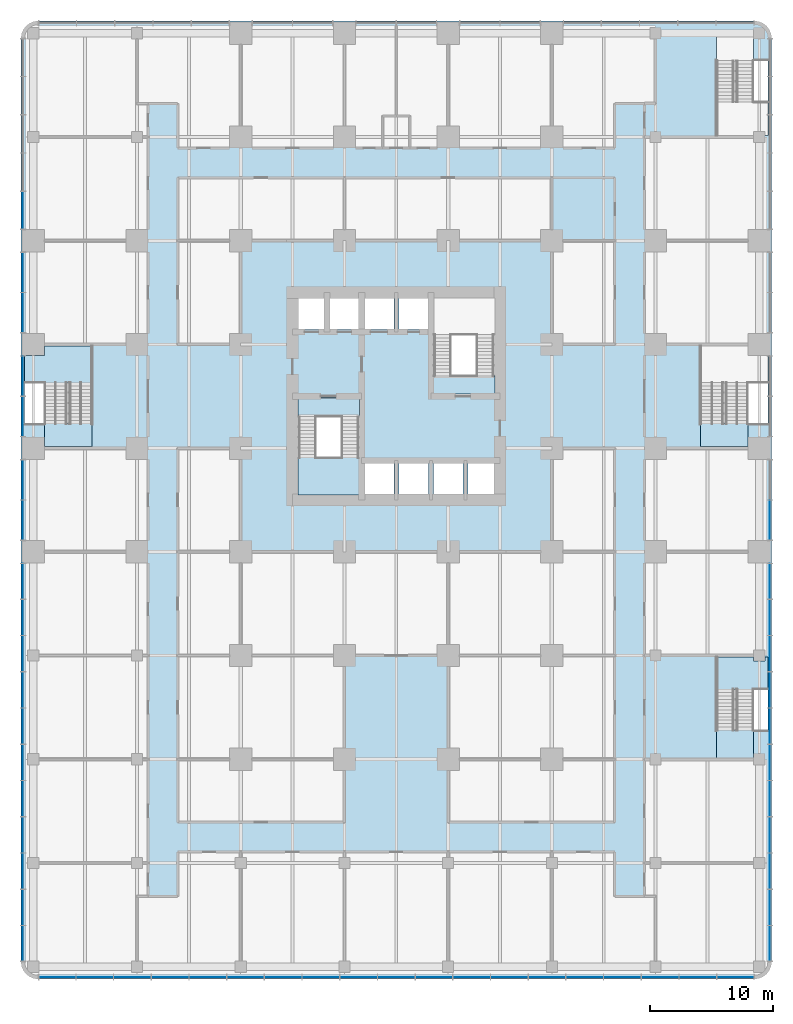
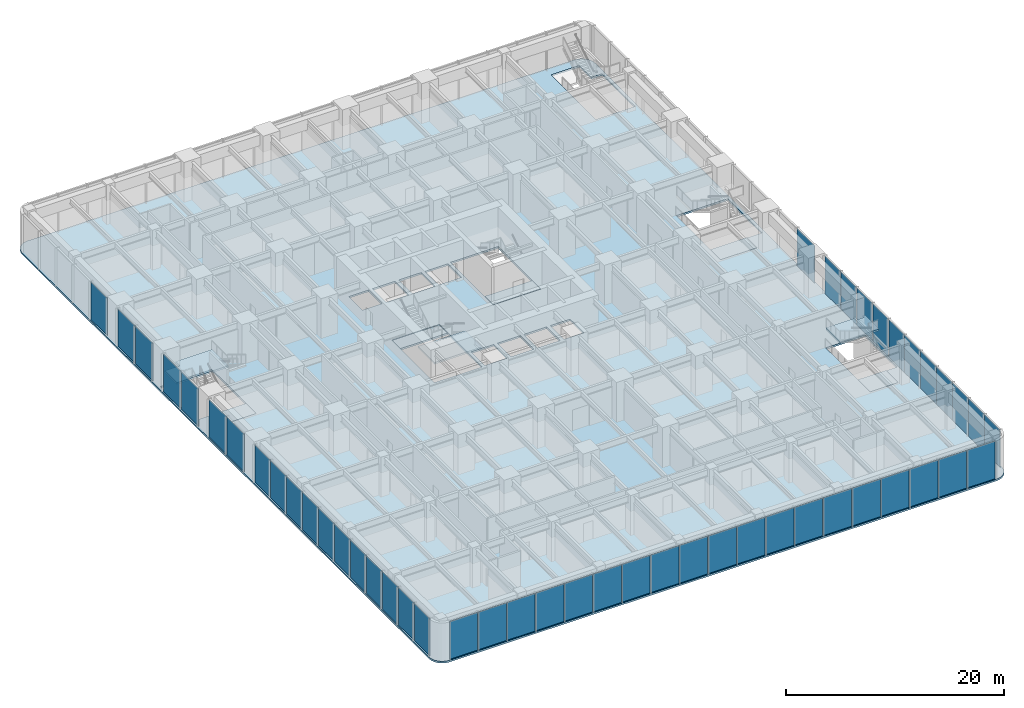
# One storey, part 9 of 19: 49 plates, 9 slabs, 8 elements without a shape of their own.
"""IFC4 building model written with IfcOpenShell, lengths in metres."""

from ifc_helpers import new_model, si_unit, direction, frame, origin, origin_2d, place, context, subcontext, project, spatial, polyline, rectangle, outline, extrude, material, layer, layer_set, type_object, element, aggregate, save


model = new_model("IFC4")

# Units and contexts
model_context = context("Model", 3, precision=1e-05, world=origin(), true_north=direction((0.0, 1.0)))
body_context = subcontext(model_context, "Body", "Model", "MODEL_VIEW")
ifc_project = project(units=[si_unit("LENGTHUNIT", "METRE"), si_unit("AREAUNIT", "SQUARE_METRE"), si_unit("VOLUMEUNIT", "CUBIC_METRE"), si_unit("PLANEANGLEUNIT", "RADIAN"), si_unit("MASSUNIT", "GRAM", prefix="KILO")], contexts=[model_context])

# Site, building, storey
site_placement = place(None, origin())
site = spatial("IfcSite", under=ifc_project, at=site_placement, CompositionType="ELEMENT")
building_placement = place(site_placement, origin())
building = spatial("IfcBuilding", under=site, at=building_placement, Name="Torre Alcanfor", CompositionType="ELEMENT")
storey_placement = place(building_placement, frame((0.0, 0.0, 6.0)))
storey = spatial("IfcBuildingStorey", under=building, at=storey_placement, Name="L01", CompositionType="ELEMENT", Elevation=6.0)

# Curtain wall, plates
ifc_material_1 = material(Name="Aluminium and glass", Category="aluminium")
curtain_wall_type = type_object("IfcCurtainWallType", Name="CW-B unitised classroom glazing with vertical FIN", PredefinedType="NOTDEFINED", material=ifc_material_1)
curtain_wall_1_placement = place(storey_placement, origin())
curtain_wall_1 = element("IfcCurtainWall", 1, at=curtain_wall_1_placement, inside=storey, type_object=curtain_wall_type, Name="Curtain wall CW-B L01 1", PredefinedType="NOTDEFINED")
ifc_material_2 = material(Name="Glass", Category="glass")
ifc_layer_1 = layer(ifc_material_2, 0.028076171875)
ifc_layer_set_1 = layer_set([ifc_layer_1], Name="CW-B clear double glazed unit")
plate_type = type_object("IfcPlateType", Name="CW-B clear double glazed unit", PredefinedType="CURTAIN_PANEL", material=ifc_layer_set_1)
plate_1_placement = place(storey_placement, frame((59.64990234375, -14.915771484375, 0.0), z_axis=(0.0, 0.0, 1.0), x_axis=(0.0, 1.0, 0.0)))
plate_1 = element("IfcPlate", 2, at=plate_1_placement, type_object=plate_type, Name="CW-B panel 1.1.1", PredefinedType="CURTAIN_PANEL", context=body_context, shape_type="SweptSolid", body=[
    extrude(rectangle(XDim=2.83837890625, YDim=0.028076171875, at=origin_2d()), origin(), (0.0, 0.0, 1.0), 4.235107421875),
])
plate_2_placement = place(storey_placement, frame((59.64990234375, -11.99609375, 0.0), z_axis=(0.0, 0.0, 1.0), x_axis=(0.0, 1.0, 0.0)))
plate_2 = element("IfcPlate", 3, at=plate_2_placement, type_object=plate_type, Name="CW-B panel 1.2.1", PredefinedType="CURTAIN_PANEL", context=body_context, shape_type="SweptSolid", body=[
    extrude(rectangle(XDim=2.870849609375, YDim=0.028076171875, at=origin_2d()), origin(), (0.0, 0.0, 1.0), 4.235107421875),
])
plate_3_placement = place(storey_placement, frame((59.64990234375, -9.060302734375, 0.0), z_axis=(0.0, 0.0, 1.0), x_axis=(0.0, 1.0, 0.0)))
plate_3 = element("IfcPlate", 4, at=plate_3_placement, type_object=plate_type, Name="CW-B panel 1.3.1", PredefinedType="CURTAIN_PANEL", context=body_context, shape_type="SweptSolid", body=[
    extrude(rectangle(XDim=2.870849609375, YDim=0.028076171875, at=origin_2d()), origin(), (0.0, 0.0, 1.0), 4.235107421875),
])
plate_4_placement = place(storey_placement, frame((59.64990234375, -6.124267578125, 0.0), z_axis=(0.0, 0.0, 1.0), x_axis=(0.0, 1.0, 0.0)))
plate_4 = element("IfcPlate", 5, at=plate_4_placement, type_object=plate_type, Name="CW-B panel 1.4.1", PredefinedType="CURTAIN_PANEL", context=body_context, shape_type="SweptSolid", body=[
    extrude(rectangle(XDim=2.870849609375, YDim=0.028076171875, at=origin_2d()), origin(), (0.0, 0.0, 1.0), 4.235107421875),
])
plate_5_placement = place(storey_placement, frame((59.64990234375, -3.1884765625, 0.0), z_axis=(0.0, 0.0, 1.0), x_axis=(0.0, 1.0, 0.0)))
plate_5 = element("IfcPlate", 6, at=plate_5_placement, type_object=plate_type, Name="CW-B panel 1.5.1", PredefinedType="CURTAIN_PANEL", context=body_context, shape_type="SweptSolid", body=[
    extrude(rectangle(XDim=2.870849609375, YDim=0.028076171875, at=origin_2d()), origin(), (0.0, 0.0, 1.0), 4.235107421875),
])
plate_6_placement = place(storey_placement, frame((59.64990234375, -0.25244140625, 0.0), z_axis=(0.0, 0.0, 1.0), x_axis=(0.0, 1.0, 0.0)))
plate_6 = element("IfcPlate", 7, at=plate_6_placement, type_object=plate_type, Name="CW-B panel 1.6.1", PredefinedType="CURTAIN_PANEL", context=body_context, shape_type="SweptSolid", body=[
    extrude(rectangle(XDim=2.870849609375, YDim=0.028076171875, at=origin_2d()), origin(), (0.0, 0.0, 1.0), 4.235107421875),
])
plate_7_placement = place(storey_placement, frame((59.64990234375, 2.683349609375, 0.0), z_axis=(0.0, 0.0, 1.0), x_axis=(0.0, 1.0, 0.0)))
plate_7 = element("IfcPlate", 8, at=plate_7_placement, type_object=plate_type, Name="CW-B panel 1.7.1", PredefinedType="CURTAIN_PANEL", context=body_context, shape_type="SweptSolid", body=[
    extrude(rectangle(XDim=2.870849609375, YDim=0.028076171875, at=origin_2d()), origin(), (0.0, 0.0, 1.0), 4.235107421875),
])
plate_8_placement = place(storey_placement, frame((59.64990234375, 5.619384765625, 0.0), z_axis=(0.0, 0.0, 1.0), x_axis=(0.0, 1.0, 0.0)))
plate_8 = element("IfcPlate", 9, at=plate_8_placement, type_object=plate_type, Name="CW-B panel 1.8.1", PredefinedType="CURTAIN_PANEL", context=body_context, shape_type="SweptSolid", body=[
    extrude(rectangle(XDim=2.870849609375, YDim=0.028076171875, at=origin_2d()), origin(), (0.0, 0.0, 1.0), 4.235107421875),
])
plate_9_placement = place(storey_placement, frame((59.64990234375, 8.55517578125, 0.0), z_axis=(0.0, 0.0, 1.0), x_axis=(0.0, 1.0, 0.0)))
plate_9 = element("IfcPlate", 10, at=plate_9_placement, type_object=plate_type, Name="CW-B panel 1.9.1", PredefinedType="CURTAIN_PANEL", context=body_context, shape_type="SweptSolid", body=[
    extrude(rectangle(XDim=2.870849609375, YDim=0.028076171875, at=origin_2d()), origin(), (0.0, 0.0, 1.0), 4.235107421875),
])
plate_10_placement = place(storey_placement, frame((59.64990234375, 11.4912109375, 0.0), z_axis=(0.0, 0.0, 1.0), x_axis=(0.0, 1.0, 0.0)))
plate_10 = element("IfcPlate", 11, at=plate_10_placement, type_object=plate_type, Name="CW-B panel 1.10.1", PredefinedType="CURTAIN_PANEL", context=body_context, shape_type="SweptSolid", body=[
    extrude(rectangle(XDim=2.870849609375, YDim=0.028076171875, at=origin_2d()), origin(), (0.0, 0.0, 1.0), 4.235107421875),
])
plate_11_placement = place(storey_placement, frame((59.64990234375, 14.410888671875, 0.0), z_axis=(0.0, 0.0, 1.0), x_axis=(0.0, 1.0, 0.0)))
plate_11 = element("IfcPlate", 12, at=plate_11_placement, type_object=plate_type, Name="CW-B panel 1.11.1", PredefinedType="CURTAIN_PANEL", context=body_context, shape_type="SweptSolid", body=[
    extrude(rectangle(XDim=2.83837890625, YDim=0.028076171875, at=origin_2d()), origin(), (0.0, 0.0, 1.0), 4.235107421875),
])
plate_12_placement = place(storey_placement, frame((59.64990234375, 19.36865234375, 0.0), z_axis=(0.0, 0.0, 1.0), x_axis=(0.0, 1.0, 0.0)))
plate_12 = element("IfcPlate", 13, at=plate_12_placement, type_object=plate_type, Name="CW-B panel 2.1.1", PredefinedType="CURTAIN_PANEL", context=body_context, shape_type="SweptSolid", body=[
    extrude(rectangle(XDim=3.197509765625, YDim=0.028076171875, at=origin_2d()), origin(), (0.0, 0.0, 1.0), 4.235107421875),
])
aggregate(curtain_wall_1, [plate_1, plate_2, plate_3, plate_4, plate_5, plate_6, plate_7, plate_8, plate_9, plate_10, plate_11, plate_12])

curtain_wall_2_placement = place(storey_placement, origin())
curtain_wall_2 = element("IfcCurtainWall", 14, at=curtain_wall_2_placement, inside=storey, type_object=curtain_wall_type, Name="Curtain wall CW-B L01 3", PredefinedType="NOTDEFINED")
plate_13_placement = place(storey_placement, frame((-0.85009765625, 44.470703125, 0.0), z_axis=(0.0, 0.0, 1.0), x_axis=(0.0, -1.0, 0.0)))
plate_13 = element("IfcPlate", 15, at=plate_13_placement, type_object=plate_type, Name="CW-B panel 1.5.1", PredefinedType="CURTAIN_PANEL", context=body_context, shape_type="SweptSolid", body=[
    extrude(rectangle(XDim=3.00146484375, YDim=0.028076171875, at=origin_2d()), origin(), (0.0, 0.0, 1.0), 4.235107421875),
])
plate_14_placement = place(storey_placement, frame((-0.85009765625, 39.43115234375, 0.0), z_axis=(0.0, 0.0, 1.0), x_axis=(0.0, -1.0, 0.0)))
plate_14 = element("IfcPlate", 16, at=plate_14_placement, type_object=plate_type, Name="CW-B panel 2.1.1", PredefinedType="CURTAIN_PANEL", context=body_context, shape_type="SweptSolid", body=[
    extrude(rectangle(XDim=3.197509765625, YDim=0.028076171875, at=origin_2d()), origin(), (0.0, 0.0, 1.0), 4.235107421875),
])
plate_15_placement = place(storey_placement, frame((-0.85009765625, 36.168701171875, 0.0), z_axis=(0.0, 0.0, 1.0), x_axis=(0.0, -1.0, 0.0)))
plate_15 = element("IfcPlate", 17, at=plate_15_placement, type_object=plate_type, Name="CW-B panel 2.2.1", PredefinedType="CURTAIN_PANEL", context=body_context, shape_type="SweptSolid", body=[
    extrude(rectangle(XDim=3.197509765625, YDim=0.028076171875, at=origin_2d()), origin(), (0.0, 0.0, 1.0), 4.235107421875),
])
plate_16_placement = place(storey_placement, frame((-0.85009765625, 31.03125, 0.0), z_axis=(0.0, 0.0, 1.0), x_axis=(0.0, -1.0, 0.0)))
plate_16 = element("IfcPlate", 18, at=plate_16_placement, type_object=plate_type, Name="CW-B panel 3.1.1", PredefinedType="CURTAIN_PANEL", context=body_context, shape_type="SweptSolid", body=[
    extrude(rectangle(XDim=3.197509765625, YDim=0.028076171875, at=origin_2d()), origin(), (0.0, 0.0, 1.0), 4.235107421875),
])
plate_17_placement = place(storey_placement, frame((-0.85009765625, 27.768798828125, 0.0), z_axis=(0.0, 0.0, 1.0), x_axis=(0.0, -1.0, 0.0)))
plate_17 = element("IfcPlate", 19, at=plate_17_placement, type_object=plate_type, Name="CW-B panel 3.2.1", PredefinedType="CURTAIN_PANEL", context=body_context, shape_type="SweptSolid", body=[
    extrude(rectangle(XDim=3.197509765625, YDim=0.028076171875, at=origin_2d()), origin(), (0.0, 0.0, 1.0), 4.235107421875),
])
plate_18_placement = place(storey_placement, frame((-0.85009765625, 22.63134765625, 0.0), z_axis=(0.0, 0.0, 1.0), x_axis=(0.0, -1.0, 0.0)))
plate_18 = element("IfcPlate", 20, at=plate_18_placement, type_object=plate_type, Name="CW-B panel 4.1.1", PredefinedType="CURTAIN_PANEL", context=body_context, shape_type="SweptSolid", body=[
    extrude(rectangle(XDim=3.197509765625, YDim=0.028076171875, at=origin_2d()), origin(), (0.0, 0.0, 1.0), 4.235107421875),
])
plate_19_placement = place(storey_placement, frame((-0.85009765625, 19.36865234375, 0.0), z_axis=(0.0, 0.0, 1.0), x_axis=(0.0, -1.0, 0.0)))
plate_19 = element("IfcPlate", 21, at=plate_19_placement, type_object=plate_type, Name="CW-B panel 4.2.1", PredefinedType="CURTAIN_PANEL", context=body_context, shape_type="SweptSolid", body=[
    extrude(rectangle(XDim=3.197509765625, YDim=0.028076171875, at=origin_2d()), origin(), (0.0, 0.0, 1.0), 4.235107421875),
])
plate_20_placement = place(storey_placement, frame((-0.85009765625, 14.410888671875, 0.0), z_axis=(0.0, 0.0, 1.0), x_axis=(0.0, -1.0, 0.0)))
plate_20 = element("IfcPlate", 22, at=plate_20_placement, type_object=plate_type, Name="CW-B panel 5.1.1", PredefinedType="CURTAIN_PANEL", context=body_context, shape_type="SweptSolid", body=[
    extrude(rectangle(XDim=2.83837890625, YDim=0.028076171875, at=origin_2d()), origin(), (0.0, 0.0, 1.0), 4.235107421875),
])
plate_21_placement = place(storey_placement, frame((-0.85009765625, 11.4912109375, 0.0), z_axis=(0.0, 0.0, 1.0), x_axis=(0.0, -1.0, 0.0)))
plate_21 = element("IfcPlate", 23, at=plate_21_placement, type_object=plate_type, Name="CW-B panel 5.2.1", PredefinedType="CURTAIN_PANEL", context=body_context, shape_type="SweptSolid", body=[
    extrude(rectangle(XDim=2.870849609375, YDim=0.028076171875, at=origin_2d()), origin(), (0.0, 0.0, 1.0), 4.235107421875),
])
plate_22_placement = place(storey_placement, frame((-0.85009765625, 8.55517578125, 0.0), z_axis=(0.0, 0.0, 1.0), x_axis=(0.0, -1.0, 0.0)))
plate_22 = element("IfcPlate", 24, at=plate_22_placement, type_object=plate_type, Name="CW-B panel 5.3.1", PredefinedType="CURTAIN_PANEL", context=body_context, shape_type="SweptSolid", body=[
    extrude(rectangle(XDim=2.870849609375, YDim=0.028076171875, at=origin_2d()), origin(), (0.0, 0.0, 1.0), 4.235107421875),
])
plate_23_placement = place(storey_placement, frame((-0.85009765625, 5.619384765625, 0.0), z_axis=(0.0, 0.0, 1.0), x_axis=(0.0, -1.0, 0.0)))
plate_23 = element("IfcPlate", 25, at=plate_23_placement, type_object=plate_type, Name="CW-B panel 5.4.1", PredefinedType="CURTAIN_PANEL", context=body_context, shape_type="SweptSolid", body=[
    extrude(rectangle(XDim=2.870849609375, YDim=0.028076171875, at=origin_2d()), origin(), (0.0, 0.0, 1.0), 4.235107421875),
])
plate_24_placement = place(storey_placement, frame((-0.85009765625, 2.683349609375, 0.0), z_axis=(0.0, 0.0, 1.0), x_axis=(0.0, -1.0, 0.0)))
plate_24 = element("IfcPlate", 26, at=plate_24_placement, type_object=plate_type, Name="CW-B panel 5.5.1", PredefinedType="CURTAIN_PANEL", context=body_context, shape_type="SweptSolid", body=[
    extrude(rectangle(XDim=2.870849609375, YDim=0.028076171875, at=origin_2d()), origin(), (0.0, 0.0, 1.0), 4.235107421875),
])
plate_25_placement = place(storey_placement, frame((-0.85009765625, -0.25244140625, 0.0), z_axis=(0.0, 0.0, 1.0), x_axis=(0.0, -1.0, 0.0)))
plate_25 = element("IfcPlate", 27, at=plate_25_placement, type_object=plate_type, Name="CW-B panel 5.6.1", PredefinedType="CURTAIN_PANEL", context=body_context, shape_type="SweptSolid", body=[
    extrude(rectangle(XDim=2.870849609375, YDim=0.028076171875, at=origin_2d()), origin(), (0.0, 0.0, 1.0), 4.235107421875),
])
plate_26_placement = place(storey_placement, frame((-0.85009765625, -3.1884765625, 0.0), z_axis=(0.0, 0.0, 1.0), x_axis=(0.0, -1.0, 0.0)))
plate_26 = element("IfcPlate", 28, at=plate_26_placement, type_object=plate_type, Name="CW-B panel 5.7.1", PredefinedType="CURTAIN_PANEL", context=body_context, shape_type="SweptSolid", body=[
    extrude(rectangle(XDim=2.870849609375, YDim=0.028076171875, at=origin_2d()), origin(), (0.0, 0.0, 1.0), 4.235107421875),
])
plate_27_placement = place(storey_placement, frame((-0.85009765625, -6.124267578125, 0.0), z_axis=(0.0, 0.0, 1.0), x_axis=(0.0, -1.0, 0.0)))
plate_27 = element("IfcPlate", 29, at=plate_27_placement, type_object=plate_type, Name="CW-B panel 5.8.1", PredefinedType="CURTAIN_PANEL", context=body_context, shape_type="SweptSolid", body=[
    extrude(rectangle(XDim=2.870849609375, YDim=0.028076171875, at=origin_2d()), origin(), (0.0, 0.0, 1.0), 4.235107421875),
])
plate_28_placement = place(storey_placement, frame((-0.85009765625, -9.060302734375, 0.0), z_axis=(0.0, 0.0, 1.0), x_axis=(0.0, -1.0, 0.0)))
plate_28 = element("IfcPlate", 30, at=plate_28_placement, type_object=plate_type, Name="CW-B panel 5.9.1", PredefinedType="CURTAIN_PANEL", context=body_context, shape_type="SweptSolid", body=[
    extrude(rectangle(XDim=2.870849609375, YDim=0.028076171875, at=origin_2d()), origin(), (0.0, 0.0, 1.0), 4.235107421875),
])
plate_29_placement = place(storey_placement, frame((-0.85009765625, -11.99609375, 0.0), z_axis=(0.0, 0.0, 1.0), x_axis=(0.0, -1.0, 0.0)))
plate_29 = element("IfcPlate", 31, at=plate_29_placement, type_object=plate_type, Name="CW-B panel 5.10.1", PredefinedType="CURTAIN_PANEL", context=body_context, shape_type="SweptSolid", body=[
    extrude(rectangle(XDim=2.870849609375, YDim=0.028076171875, at=origin_2d()), origin(), (0.0, 0.0, 1.0), 4.235107421875),
])
plate_30_placement = place(storey_placement, frame((-0.85009765625, -14.915771484375, 0.0), z_axis=(0.0, 0.0, 1.0), x_axis=(0.0, -1.0, 0.0)))
plate_30 = element("IfcPlate", 32, at=plate_30_placement, type_object=plate_type, Name="CW-B panel 5.11.1", PredefinedType="CURTAIN_PANEL", context=body_context, shape_type="SweptSolid", body=[
    extrude(rectangle(XDim=2.83837890625, YDim=0.028076171875, at=origin_2d()), origin(), (0.0, 0.0, 1.0), 4.235107421875),
])
aggregate(curtain_wall_2, [plate_13, plate_14, plate_15, plate_16, plate_17, plate_18, plate_19, plate_20, plate_21, plate_22, plate_23, plate_24, plate_25, plate_26, plate_27, plate_28, plate_29, plate_30])

curtain_wall_3_placement = place(storey_placement, origin())
curtain_wall_3 = element("IfcCurtainWall", 33, at=curtain_wall_3_placement, inside=storey, type_object=curtain_wall_type, Name="Curtain wall CW-B L01 4", PredefinedType="NOTDEFINED")
plate_31_placement = place(storey_placement, frame((1.942626953125, -17.64990234375, 0.0), z_axis=(0.0, 0.0, 1.0), x_axis=(1.0, 0.0, 0.0)))
plate_31 = element("IfcPlate", 34, at=plate_31_placement, type_object=plate_type, Name="CW-B panel 1.1", PredefinedType="CURTAIN_PANEL", context=body_context, shape_type="SweptSolid", body=[
    extrude(rectangle(XDim=2.955078125, YDim=0.028076171875, at=origin_2d()), origin(), (0.0, 0.0, 1.0), 4.235107421875),
])
plate_32_placement = place(storey_placement, frame((4.97900390625, -17.64990234375, 0.0), z_axis=(0.0, 0.0, 1.0), x_axis=(1.0, 0.0, 0.0)))
plate_32 = element("IfcPlate", 35, at=plate_32_placement, type_object=plate_type, Name="CW-B panel 2.1", PredefinedType="CURTAIN_PANEL", context=body_context, shape_type="SweptSolid", body=[
    extrude(rectangle(XDim=2.987548828125, YDim=0.028076171875, at=origin_2d()), origin(), (0.0, 0.0, 1.0), 4.235107421875),
])
plate_33_placement = place(storey_placement, frame((8.031494140625, -17.64990234375, 0.0), z_axis=(0.0, 0.0, 1.0), x_axis=(1.0, 0.0, 0.0)))
plate_33 = element("IfcPlate", 36, at=plate_33_placement, type_object=plate_type, Name="CW-B panel 3.1", PredefinedType="CURTAIN_PANEL", context=body_context, shape_type="SweptSolid", body=[
    extrude(rectangle(XDim=2.987548828125, YDim=0.028076171875, at=origin_2d()), origin(), (0.0, 0.0, 1.0), 4.235107421875),
])
plate_34_placement = place(storey_placement, frame((11.084228515625, -17.64990234375, 0.0), z_axis=(0.0, 0.0, 1.0), x_axis=(1.0, 0.0, 0.0)))
plate_34 = element("IfcPlate", 37, at=plate_34_placement, type_object=plate_type, Name="CW-B panel 4.1", PredefinedType="CURTAIN_PANEL", context=body_context, shape_type="SweptSolid", body=[
    extrude(rectangle(XDim=2.987548828125, YDim=0.028076171875, at=origin_2d()), origin(), (0.0, 0.0, 1.0), 4.235107421875),
])
plate_35_placement = place(storey_placement, frame((14.136962890625, -17.64990234375, 0.0), z_axis=(0.0, 0.0, 1.0), x_axis=(1.0, 0.0, 0.0)))
plate_35 = element("IfcPlate", 38, at=plate_35_placement, type_object=plate_type, Name="CW-B panel 5.1", PredefinedType="CURTAIN_PANEL", context=body_context, shape_type="SweptSolid", body=[
    extrude(rectangle(XDim=2.987548828125, YDim=0.028076171875, at=origin_2d()), origin(), (0.0, 0.0, 1.0), 4.235107421875),
])
plate_36_placement = place(storey_placement, frame((17.189453125, -17.64990234375, 0.0), z_axis=(0.0, 0.0, 1.0), x_axis=(1.0, 0.0, 0.0)))
plate_36 = element("IfcPlate", 39, at=plate_36_placement, type_object=plate_type, Name="CW-B panel 6.1", PredefinedType="CURTAIN_PANEL", context=body_context, shape_type="SweptSolid", body=[
    extrude(rectangle(XDim=2.987548828125, YDim=0.028076171875, at=origin_2d()), origin(), (0.0, 0.0, 1.0), 4.235107421875),
])
plate_37_placement = place(storey_placement, frame((20.2421875, -17.64990234375, 0.0), z_axis=(0.0, 0.0, 1.0), x_axis=(1.0, 0.0, 0.0)))
plate_37 = element("IfcPlate", 40, at=plate_37_placement, type_object=plate_type, Name="CW-B panel 7.1", PredefinedType="CURTAIN_PANEL", context=body_context, shape_type="SweptSolid", body=[
    extrude(rectangle(XDim=2.987548828125, YDim=0.028076171875, at=origin_2d()), origin(), (0.0, 0.0, 1.0), 4.235107421875),
])
plate_38_placement = place(storey_placement, frame((23.294677734375, -17.64990234375, 0.0), z_axis=(0.0, 0.0, 1.0), x_axis=(1.0, 0.0, 0.0)))
plate_38 = element("IfcPlate", 41, at=plate_38_placement, type_object=plate_type, Name="CW-B panel 8.1", PredefinedType="CURTAIN_PANEL", context=body_context, shape_type="SweptSolid", body=[
    extrude(rectangle(XDim=2.987548828125, YDim=0.028076171875, at=origin_2d()), origin(), (0.0, 0.0, 1.0), 4.235107421875),
])
plate_39_placement = place(storey_placement, frame((26.347412109375, -17.64990234375, 0.0), z_axis=(0.0, 0.0, 1.0), x_axis=(1.0, 0.0, 0.0)))
plate_39 = element("IfcPlate", 42, at=plate_39_placement, type_object=plate_type, Name="CW-B panel 9.1", PredefinedType="CURTAIN_PANEL", context=body_context, shape_type="SweptSolid", body=[
    extrude(rectangle(XDim=2.987548828125, YDim=0.028076171875, at=origin_2d()), origin(), (0.0, 0.0, 1.0), 4.235107421875),
])
plate_40_placement = place(storey_placement, frame((29.39990234375, -17.64990234375, 0.0), z_axis=(0.0, 0.0, 1.0), x_axis=(1.0, 0.0, 0.0)))
plate_40 = element("IfcPlate", 43, at=plate_40_placement, type_object=plate_type, Name="CW-B panel 10.1", PredefinedType="CURTAIN_PANEL", context=body_context, shape_type="SweptSolid", body=[
    extrude(rectangle(XDim=2.987548828125, YDim=0.028076171875, at=origin_2d()), origin(), (0.0, 0.0, 1.0), 4.235107421875),
])
plate_41_placement = place(storey_placement, frame((32.45263671875, -17.64990234375, 0.0), z_axis=(0.0, 0.0, 1.0), x_axis=(1.0, 0.0, 0.0)))
plate_41 = element("IfcPlate", 44, at=plate_41_placement, type_object=plate_type, Name="CW-B panel 11.1", PredefinedType="CURTAIN_PANEL", context=body_context, shape_type="SweptSolid", body=[
    extrude(rectangle(XDim=2.987548828125, YDim=0.028076171875, at=origin_2d()), origin(), (0.0, 0.0, 1.0), 4.235107421875),
])
plate_42_placement = place(storey_placement, frame((35.50537109375, -17.64990234375, 0.0), z_axis=(0.0, 0.0, 1.0), x_axis=(1.0, 0.0, 0.0)))
plate_42 = element("IfcPlate", 45, at=plate_42_placement, type_object=plate_type, Name="CW-B panel 12.1", PredefinedType="CURTAIN_PANEL", context=body_context, shape_type="SweptSolid", body=[
    extrude(rectangle(XDim=2.987548828125, YDim=0.028076171875, at=origin_2d()), origin(), (0.0, 0.0, 1.0), 4.235107421875),
])
plate_43_placement = place(storey_placement, frame((38.557861328125, -17.64990234375, 0.0), z_axis=(0.0, 0.0, 1.0), x_axis=(1.0, 0.0, 0.0)))
plate_43 = element("IfcPlate", 46, at=plate_43_placement, type_object=plate_type, Name="CW-B panel 13.1", PredefinedType="CURTAIN_PANEL", context=body_context, shape_type="SweptSolid", body=[
    extrude(rectangle(XDim=2.987548828125, YDim=0.028076171875, at=origin_2d()), origin(), (0.0, 0.0, 1.0), 4.235107421875),
])
plate_44_placement = place(storey_placement, frame((41.610595703125, -17.64990234375, 0.0), z_axis=(0.0, 0.0, 1.0), x_axis=(1.0, 0.0, 0.0)))
plate_44 = element("IfcPlate", 47, at=plate_44_placement, type_object=plate_type, Name="CW-B panel 14.1", PredefinedType="CURTAIN_PANEL", context=body_context, shape_type="SweptSolid", body=[
    extrude(rectangle(XDim=2.987548828125, YDim=0.028076171875, at=origin_2d()), origin(), (0.0, 0.0, 1.0), 4.235107421875),
])
plate_45_placement = place(storey_placement, frame((44.6630859375, -17.64990234375, 0.0), z_axis=(0.0, 0.0, 1.0), x_axis=(1.0, 0.0, 0.0)))
plate_45 = element("IfcPlate", 48, at=plate_45_placement, type_object=plate_type, Name="CW-B panel 15.1", PredefinedType="CURTAIN_PANEL", context=body_context, shape_type="SweptSolid", body=[
    extrude(rectangle(XDim=2.987548828125, YDim=0.028076171875, at=origin_2d()), origin(), (0.0, 0.0, 1.0), 4.235107421875),
])
plate_46_placement = place(storey_placement, frame((47.7158203125, -17.64990234375, 0.0), z_axis=(0.0, 0.0, 1.0), x_axis=(1.0, 0.0, 0.0)))
plate_46 = element("IfcPlate", 49, at=plate_46_placement, type_object=plate_type, Name="CW-B panel 16.1", PredefinedType="CURTAIN_PANEL", context=body_context, shape_type="SweptSolid", body=[
    extrude(rectangle(XDim=2.987548828125, YDim=0.028076171875, at=origin_2d()), origin(), (0.0, 0.0, 1.0), 4.235107421875),
])
plate_47_placement = place(storey_placement, frame((50.768310546875, -17.64990234375, 0.0), z_axis=(0.0, 0.0, 1.0), x_axis=(1.0, 0.0, 0.0)))
plate_47 = element("IfcPlate", 50, at=plate_47_placement, type_object=plate_type, Name="CW-B panel 17.1", PredefinedType="CURTAIN_PANEL", context=body_context, shape_type="SweptSolid", body=[
    extrude(rectangle(XDim=2.987548828125, YDim=0.028076171875, at=origin_2d()), origin(), (0.0, 0.0, 1.0), 4.235107421875),
])
plate_48_placement = place(storey_placement, frame((53.821044921875, -17.64990234375, 0.0), z_axis=(0.0, 0.0, 1.0), x_axis=(1.0, 0.0, 0.0)))
plate_48 = element("IfcPlate", 51, at=plate_48_placement, type_object=plate_type, Name="CW-B panel 18.1", PredefinedType="CURTAIN_PANEL", context=body_context, shape_type="SweptSolid", body=[
    extrude(rectangle(XDim=2.987548828125, YDim=0.028076171875, at=origin_2d()), origin(), (0.0, 0.0, 1.0), 4.235107421875),
])
plate_49_placement = place(storey_placement, frame((56.857421875, -17.64990234375, 0.0), z_axis=(0.0, 0.0, 1.0), x_axis=(1.0, 0.0, 0.0)))
plate_49 = element("IfcPlate", 52, at=plate_49_placement, type_object=plate_type, Name="CW-B panel 19.1", PredefinedType="CURTAIN_PANEL", context=body_context, shape_type="SweptSolid", body=[
    extrude(rectangle(XDim=2.955078125, YDim=0.028076171875, at=origin_2d()), origin(), (0.0, 0.0, 1.0), 4.235107421875),
])
aggregate(curtain_wall_3, [plate_31, plate_32, plate_33, plate_34, plate_35, plate_36, plate_37, plate_38, plate_39, plate_40, plate_41, plate_42, plate_43, plate_44, plate_45, plate_46, plate_47, plate_48, plate_49])

# Slab
ifc_material_3 = material(Name="Concrete f'c 35 MPa", Category="concrete")
ifc_layer_2 = layer(ifc_material_3, 0.199951171875)
ifc_layer_set_2 = layer_set([ifc_layer_2], Name="Floor slab 200")
slab_type_1 = type_object("IfcSlabType", Name="Floor slab 200", PredefinedType="FLOOR", material=ifc_layer_set_2)
slab_1_placement = place(storey_placement, frame((0.0, 0.0, -0.199951171875)))
element("IfcSlab", 53, at=slab_1_placement, inside=storey, type_object=slab_type_1, Name="Floor slab L01", PredefinedType="FLOOR", context=body_context, shape_type="SweptSolid", body=[
    extrude(outline(polyline([(58.39990234375, -17.800048828125), (58.76220703125, -17.752197265625), (59.10009765625, -17.6123046875), (59.389892578125, -17.389892578125), (59.6123046875, -17.10009765625), (59.752197265625, -16.76220703125), (59.800048828125, -16.39990234375), (59.800048828125, 58.39990234375), (59.752197265625, 58.76220703125), (59.6123046875, 59.10009765625), (59.389892578125, 59.389892578125), (59.10009765625, 59.6123046875), (58.76220703125, 59.752197265625), (58.39990234375, 59.800048828125), (0.39990234375, 59.800048828125), (0.03759765625, 59.752197265625), (-0.300048828125, 59.6123046875), (-0.58984375, 59.389892578125), (-0.8125, 59.10009765625), (-0.952392578125, 58.76220703125), (-1.0, 58.39990234375), (-1.0, -16.39990234375), (-0.952392578125, -16.76220703125), (-0.8125, -17.10009765625), (-0.58984375, -17.389892578125), (-0.300048828125, -17.6123046875), (0.03759765625, -17.752197265625), (0.39990234375, -17.800048828125), (58.39990234375, -17.800048828125)]), holes=[polyline([(21.419921875, 21.419921875), (26.47998046875, 21.419921875), (26.47998046875, 29.280029296875), (21.419921875, 29.280029296875), (21.419921875, 21.419921875)]), polyline([(32.320068359375, 29.52001953125), (37.3798828125, 29.52001953125), (37.3798828125, 37.3798828125), (32.320068359375, 37.3798828125), (32.320068359375, 29.52001953125)]), polyline([(26.800048828125, 21.5), (29.199951171875, 21.5), (29.199951171875, 24.0), (26.800048828125, 24.0), (26.800048828125, 21.5)]), polyline([(29.60009765625, 21.5), (32.0, 21.5), (32.0, 24.0), (29.60009765625, 24.0), (29.60009765625, 21.5)]), polyline([(32.39990234375, 21.5), (34.800048828125, 21.5), (34.800048828125, 24.0), (32.39990234375, 24.0), (32.39990234375, 21.5)]), polyline([(35.199951171875, 21.5), (37.300048828125, 21.5), (37.300048828125, 24.0), (35.199951171875, 24.0), (35.199951171875, 21.5)]), polyline([(21.5, 34.800048828125), (23.60009765625, 34.800048828125), (23.60009765625, 37.300048828125), (21.5, 37.300048828125), (21.5, 34.800048828125)]), polyline([(24.0, 34.800048828125), (26.39990234375, 34.800048828125), (26.39990234375, 37.300048828125), (24.0, 37.300048828125), (24.0, 34.800048828125)]), polyline([(26.800048828125, 34.800048828125), (29.199951171875, 34.800048828125), (29.199951171875, 37.300048828125), (26.800048828125, 37.300048828125), (26.800048828125, 34.800048828125)]), polyline([(29.60009765625, 34.800048828125), (32.0, 34.800048828125), (32.0, 37.300048828125), (29.60009765625, 37.300048828125), (29.60009765625, 34.800048828125)]), polyline([(4.760009765625, 25.324951171875), (0.89990234375, 25.324951171875), (0.89990234375, 27.155029296875), (-0.699951171875, 27.155029296875), (-0.699951171875, 33.47509765625), (4.760009765625, 33.47509765625), (4.760009765625, 25.324951171875)]), polyline([(57.89990234375, 25.324951171875), (54.0400390625, 25.324951171875), (54.0400390625, 33.47509765625), (59.5, 33.47509765625), (59.5, 27.155029296875), (57.89990234375, 27.155029296875), (57.89990234375, 25.324951171875)]), polyline([(58.35009765625, 0.125), (55.35009765625, 0.125), (55.35009765625, 8.27490234375), (59.5, 8.27490234375), (59.5, 2.324951171875), (58.35009765625, 2.324951171875), (58.35009765625, 0.125)]), polyline([(59.5, 56.574951171875), (59.5, 50.52490234375), (55.35009765625, 50.52490234375), (55.35009765625, 58.77490234375), (58.35009765625, 58.77490234375), (58.35009765625, 56.574951171875), (59.5, 56.574951171875)])]), origin(), (0.0, 0.0, 1.0), 0.199951171875),
])

# Stair, slabs
ifc_material_4 = material(Name="Concrete f'c 35 MPa", Category="concrete")
stair_type_1 = type_object("IfcStairType", Name="Exit stair S1 1400 wide", PredefinedType="HALF_TURN_STAIR", material=ifc_material_4)
stair_1_placement = place(storey_placement, origin())
stair_1 = element("IfcStair", 54, at=stair_1_placement, inside=storey, type_object=stair_type_1, Name="Stair S1 L01 to L02", PredefinedType="HALF_TURN_STAIR")
ifc_material_5 = material(Name="Concrete f'c 35 MPa", Category="concrete")
ifc_layer_3 = layer(ifc_material_5, 0.199951171875)
ifc_layer_set_3 = layer_set([ifc_layer_3], Name="Stair landing 200")
slab_type_2 = type_object("IfcSlabType", Name="Stair landing 200", PredefinedType="LANDING", material=ifc_layer_set_3)
slab_2_placement = place(storey_placement, frame((0.0, 0.0, -0.199951171875)))
slab_2 = element("IfcSlab", 55, at=slab_2_placement, type_object=slab_type_2, Name="S1 landing 1", PredefinedType="LANDING", context=body_context, shape_type="SweptSolid", body=[
    extrude(outline(polyline([(21.419921875, 27.699951171875), (26.429931640625, 27.699951171875), (26.429931640625, 29.22998046875), (21.419921875, 29.22998046875), (21.419921875, 27.699951171875)])), origin(), (0.0, 0.0, 1.0), 0.199951171875),
])
slab_3_placement = place(storey_placement, frame((0.0, 0.0, 2.050048828125)))
slab_3 = element("IfcSlab", 56, at=slab_3_placement, type_object=slab_type_2, Name="S1 landing 2", PredefinedType="LANDING", context=body_context, shape_type="SweptSolid", body=[
    extrude(outline(polyline([(21.419921875, 21.419921875), (26.429931640625, 21.419921875), (26.429931640625, 24.43994140625), (21.419921875, 24.43994140625), (21.419921875, 21.419921875)])), origin(), (0.0, 0.0, 1.0), 0.199951171875),
])
aggregate(stair_1, [slab_2, slab_3])

# Stair, slab
ifc_material_6 = material(Name="Concrete f'c 35 MPa", Category="concrete")
stair_type_2 = type_object("IfcStairType", Name="Exit stair S2 1400 wide", PredefinedType="HALF_TURN_STAIR", material=ifc_material_6)
stair_2_placement = place(storey_placement, origin())
stair_2 = element("IfcStair", 57, at=stair_2_placement, inside=storey, type_object=stair_type_2, Name="Stair S2 L01 to L02", PredefinedType="HALF_TURN_STAIR")
slab_4_placement = place(storey_placement, frame((0.0, 0.0, -0.199951171875)))
slab_4 = element("IfcSlab", 58, at=slab_4_placement, type_object=slab_type_2, Name="S2 landing 1", PredefinedType="LANDING", context=body_context, shape_type="SweptSolid", body=[
    extrude(outline(polyline([(32.3701171875, 29.570068359375), (37.3798828125, 29.570068359375), (37.3798828125, 31.10009765625), (32.3701171875, 31.10009765625), (32.3701171875, 29.570068359375)])), origin(), (0.0, 0.0, 1.0), 0.199951171875),
])
aggregate(stair_2, [slab_4])

# Stair, slabs
ifc_material_7 = material(Name="Concrete f'c 35 MPa", Category="concrete")
stair_type_3 = type_object("IfcStairType", Name="Exit stair SS1 1830 wide", PredefinedType="HALF_TURN_STAIR", material=ifc_material_7)
stair_3_placement = place(storey_placement, origin())
stair_3 = element("IfcStair", 59, at=stair_3_placement, inside=storey, type_object=stair_type_3, Name="Stair SS1 L01 to L02", PredefinedType="HALF_TURN_STAIR")
slab_5_placement = place(storey_placement, frame((0.0, 0.0, -0.199951171875)))
slab_5 = element("IfcSlab", 60, at=slab_5_placement, type_object=slab_type_2, Name="SS1 landing 1", PredefinedType="LANDING", context=body_context, shape_type="SweptSolid", body=[
    extrude(outline(polyline([(4.760009765625, 27.205078125), (4.760009765625, 25.324951171875), (0.89990234375, 25.324951171875), (0.89990234375, 26.10009765625), (0.89990234375, 27.205078125), (4.760009765625, 27.205078125)])), origin(), (0.0, 0.0, 1.0), 0.199951171875),
])
slab_6_placement = place(storey_placement, frame((0.0, 0.0, 2.050048828125)))
slab_6 = element("IfcSlab", 61, at=slab_6_placement, type_object=slab_type_2, Name="SS1 landing 2", PredefinedType="LANDING", context=body_context, shape_type="SweptSolid", body=[
    extrude(outline(polyline([(4.760009765625, 33.465087890625), (4.760009765625, 30.465087890625), (-0.699951171875, 30.465087890625), (-0.699951171875, 32.699951171875), (0.89990234375, 32.699951171875), (0.89990234375, 33.465087890625), (4.760009765625, 33.465087890625)])), origin(), (0.0, 0.0, 1.0), 0.199951171875),
])
aggregate(stair_3, [slab_5, slab_6])

# Stair, slab
ifc_material_8 = material(Name="Concrete f'c 35 MPa", Category="concrete")
stair_type_4 = type_object("IfcStairType", Name="Exit stair SS2 1830 wide", PredefinedType="HALF_TURN_STAIR", material=ifc_material_8)
stair_4_placement = place(storey_placement, origin())
stair_4 = element("IfcStair", 62, at=stair_4_placement, inside=storey, type_object=stair_type_4, Name="Stair SS2 L01 to L02", PredefinedType="HALF_TURN_STAIR")
slab_7_placement = place(storey_placement, frame((0.0, 0.0, -0.199951171875)))
slab_7 = element("IfcSlab", 63, at=slab_7_placement, type_object=slab_type_2, Name="SS2 landing 1", PredefinedType="LANDING", context=body_context, shape_type="SweptSolid", body=[
    extrude(outline(polyline([(54.0400390625, 25.324951171875), (54.0400390625, 27.205078125), (57.89990234375, 27.205078125), (57.89990234375, 26.10009765625), (57.89990234375, 25.324951171875), (54.0400390625, 25.324951171875)])), origin(), (0.0, 0.0, 1.0), 0.199951171875),
])
aggregate(stair_4, [slab_7])

# Stair, slabs
ifc_material_9 = material(Name="Concrete f'c 35 MPa", Category="concrete")
stair_type_5 = type_object("IfcStairType", Name="Exit stair SS3 1400 wide", PredefinedType="HALF_TURN_STAIR", material=ifc_material_9)
stair_5_placement = place(storey_placement, origin())
stair_5 = element("IfcStair", 64, at=stair_5_placement, inside=storey, type_object=stair_type_5, Name="Stair SS3 L01 to L02", PredefinedType="HALF_TURN_STAIR")
slab_8_placement = place(storey_placement, frame((0.0, 0.0, -0.199951171875)))
slab_8 = element("IfcSlab", 65, at=slab_8_placement, type_object=slab_type_2, Name="SS3 landing 1", PredefinedType="LANDING", context=body_context, shape_type="SweptSolid", body=[
    extrude(outline(polyline([(55.35009765625, 2.375), (58.35009765625, 2.375), (58.35009765625, 0.449951171875), (58.35009765625, 0.449951171875), (58.35009765625, 0.125), (55.35009765625, 0.125), (55.35009765625, 2.375)])), origin(), (0.0, 0.0, 1.0), 0.199951171875),
])
slab_9_placement = place(storey_placement, frame((0.0, 0.0, 2.050048828125)))
slab_9 = element("IfcSlab", 66, at=slab_9_placement, type_object=slab_type_2, Name="SS3 landing 2", PredefinedType="LANDING", context=body_context, shape_type="SweptSolid", body=[
    extrude(outline(polyline([(59.5, 8.264892578125), (59.5, 5.635009765625), (55.35009765625, 5.635009765625), (55.35009765625, 8.264892578125), (58.35009765625, 8.264892578125), (58.35009765625, 7.949951171875), (59.25, 7.949951171875), (59.25, 8.264892578125), (59.5, 8.264892578125)])), origin(), (0.0, 0.0, 1.0), 0.199951171875),
])
aggregate(stair_5, [slab_8, slab_9])

save(model, "model.ifc")
